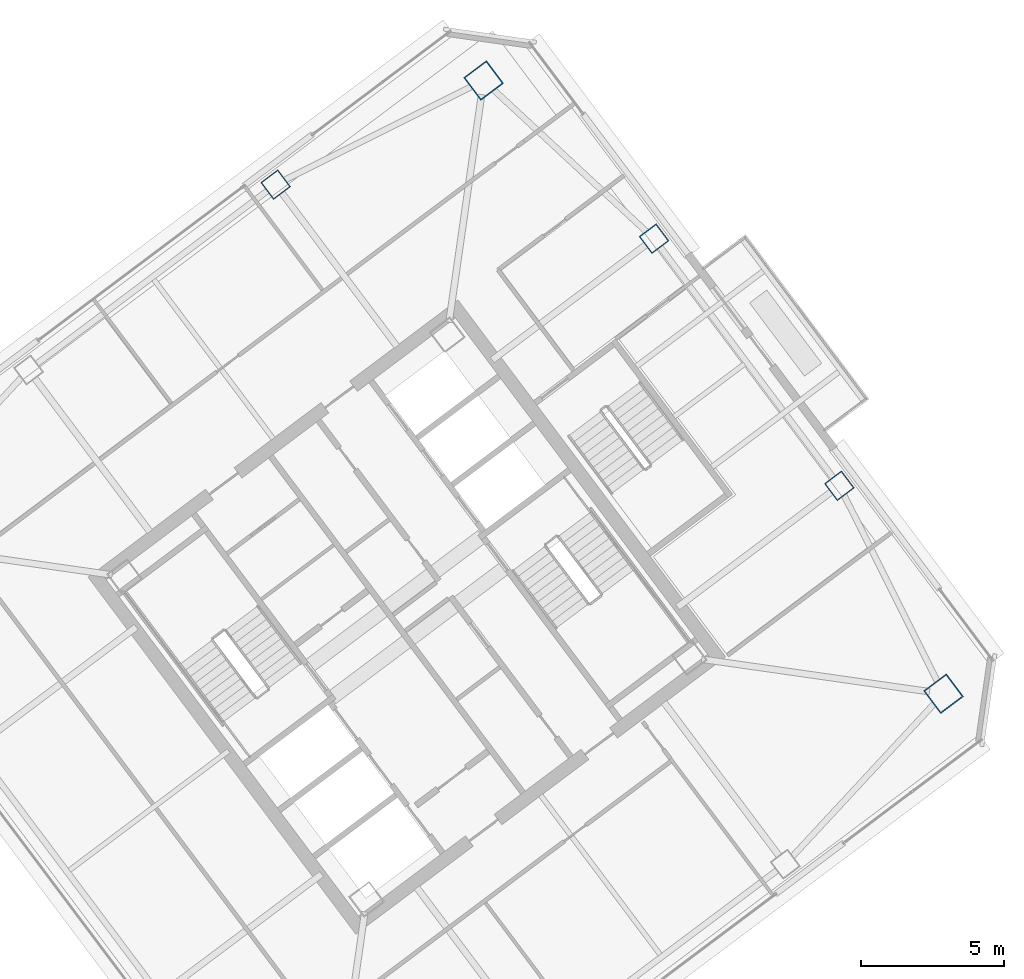
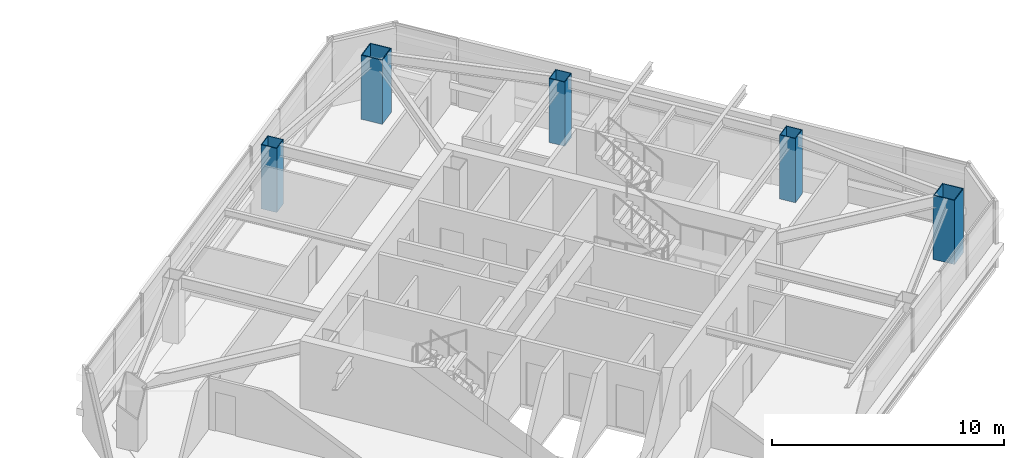
# One storey, part 2 of 39: 5 columns.
"""IFC4 building model written with IfcOpenShell, lengths in metres."""

from ifc_helpers import new_model, si_unit, direction, frame, origin, origin_2d, place, context, subcontext, project, spatial, hollow_rectangle, extrude, material, material_profile, profile_set, type_object, element, save


model = new_model("IFC4")

# Units and contexts
model_context = context("Model", 3, precision=1e-05, world=origin(), true_north=direction((0.0, 1.0)))
body_context = subcontext(model_context, "Body", "Model", "MODEL_VIEW")
ifc_project = project(units=[si_unit("LENGTHUNIT", "METRE"), si_unit("AREAUNIT", "SQUARE_METRE"), si_unit("VOLUMEUNIT", "CUBIC_METRE"), si_unit("PLANEANGLEUNIT", "RADIAN"), si_unit("MASSUNIT", "GRAM", prefix="KILO")], contexts=[model_context])

# Site, building, storey
site_placement = place(None, origin())
site = spatial("IfcSite", under=ifc_project, at=site_placement, CompositionType="ELEMENT")
building_placement = place(site_placement, origin())
building = spatial("IfcBuilding", under=site, at=building_placement, Name="Tashvorn Skyway Center", CompositionType="ELEMENT")
storey_placement = place(building_placement, frame((0.0, 0.0, 214.85009765625)))
storey = spatial("IfcBuildingStorey", under=building, at=storey_placement, Name="L58", CompositionType="ELEMENT", Elevation=214.85009765625)

# Columns
ifc_material = material(Name="Steel ASTM A572 Grade 50", Category="steel")
ifc_material_profile_1 = material_profile(ifc_material, hollow_rectangle(XDim=1.0, YDim=1.0, WallThickness=0.0400390625, at=origin_2d()), Name="BOX1000x1000x40")
ifc_profile_set_1 = profile_set([ifc_material_profile_1], Name="Steel ASTM A572 Grade 50")
column_type_1 = type_object("IfcColumnType", Name="COL-BOX1000x1000x40", PredefinedType="COLUMN", material=ifc_profile_set_1)
for number, where, z_axis, x_axis, name in (
    (1, (132.760009765625, 29.320068359375, 0.0), (0.0, 0.0, 1.0), (0.799999996291, 0.600000004945, 0.0), "Tower 2 L58 Mega-Column MC-SE"),
    (2, (116.679931640625, 50.760009765625, 0.0), (0.0, 0.0, 1.0), (0.799999996291, 0.600000004945, 0.0), "Tower 2 L58 Mega-Column MC-NE"),
):
    element("IfcColumn", number, at=place(storey_placement, frame(where, z_axis=z_axis, x_axis=x_axis)), inside=storey, type_object=column_type_1, Name=name, PredefinedType="COLUMN", context=body_context, shape_type="SweptSolid", body=[
        extrude(hollow_rectangle(XDim=1.0, YDim=1.0, WallThickness=0.0400390625, at=origin_2d()), origin(), (0.0, 0.0, 1.0), 3.369873046875),
    ])
ifc_material_profile_2 = material_profile(ifc_material, hollow_rectangle(XDim=0.75, YDim=0.75, WallThickness=0.031982421875, at=origin_2d()), Name="BOX750x750x32")
ifc_profile_set_2 = profile_set([ifc_material_profile_2], Name="Steel ASTM A572 Grade 50")
column_type_2 = type_object("IfcColumnType", Name="COL-BOX750x750x32", PredefinedType="COLUMN", material=ifc_profile_set_2)
for number, where, z_axis, x_axis, name in (
    (3, (129.1201171875, 36.590087890625, 0.0), (0.0, 0.0, 1.0), (0.799999996291, 0.600000004945, 0.0), "Tower 2 L58 Perimeter Column FC-E1"),
    (4, (122.639892578125, 45.22998046875, 0.0), (0.0, 0.0, 1.0), (0.799999996291, 0.600000004945, 0.0), "Tower 2 L58 Perimeter Column FC-E2"),
    (5, (109.409912109375, 47.1201171875, 0.0), (0.0, 0.0, 1.0), (0.799999996291, 0.600000004945, 0.0), "Tower 2 L58 Perimeter Column FC-N1"),
):
    element("IfcColumn", number, at=place(storey_placement, frame(where, z_axis=z_axis, x_axis=x_axis)), inside=storey, type_object=column_type_2, Name=name, PredefinedType="COLUMN", context=body_context, shape_type="SweptSolid", body=[
        extrude(hollow_rectangle(XDim=0.75, YDim=0.75, WallThickness=0.031982421875, at=origin_2d()), origin(), (0.0, 0.0, 1.0), 3.369873046875),
    ])

save(model, "model.ifc")
